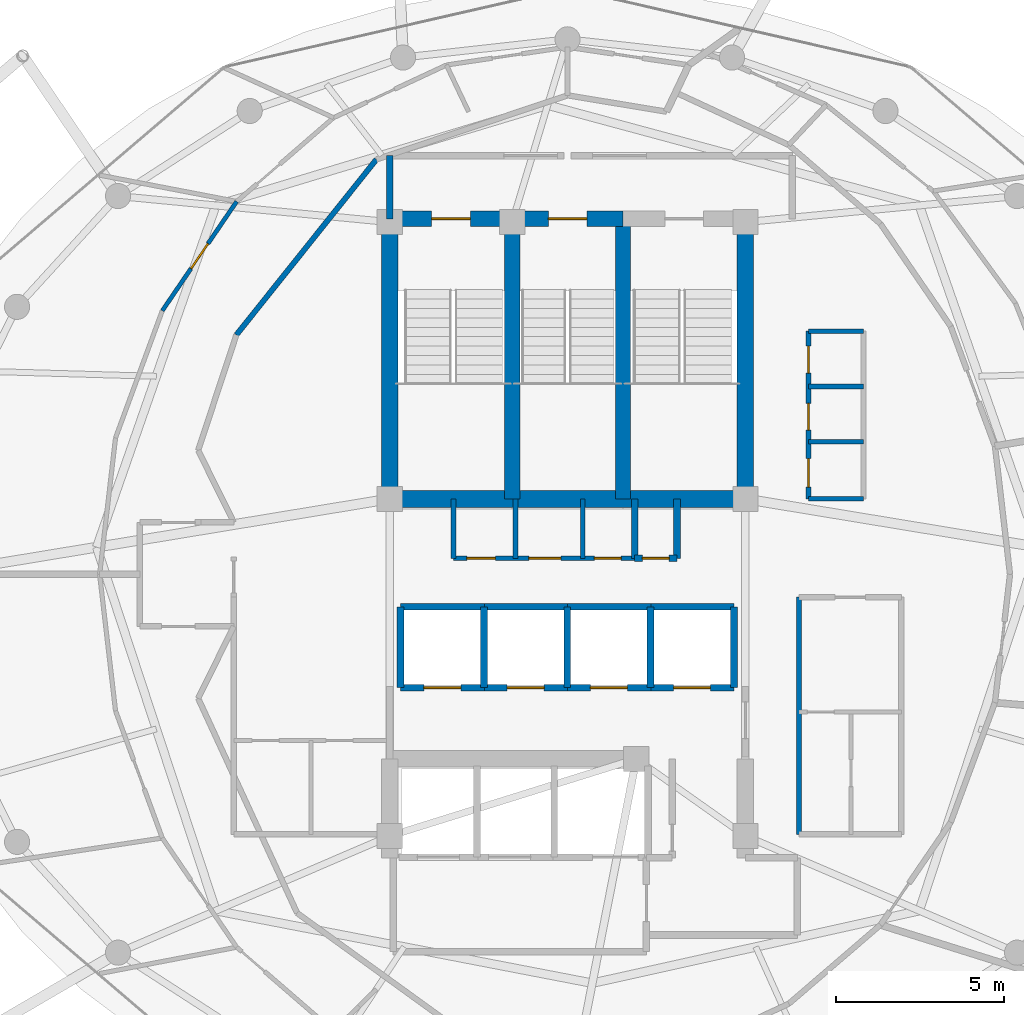
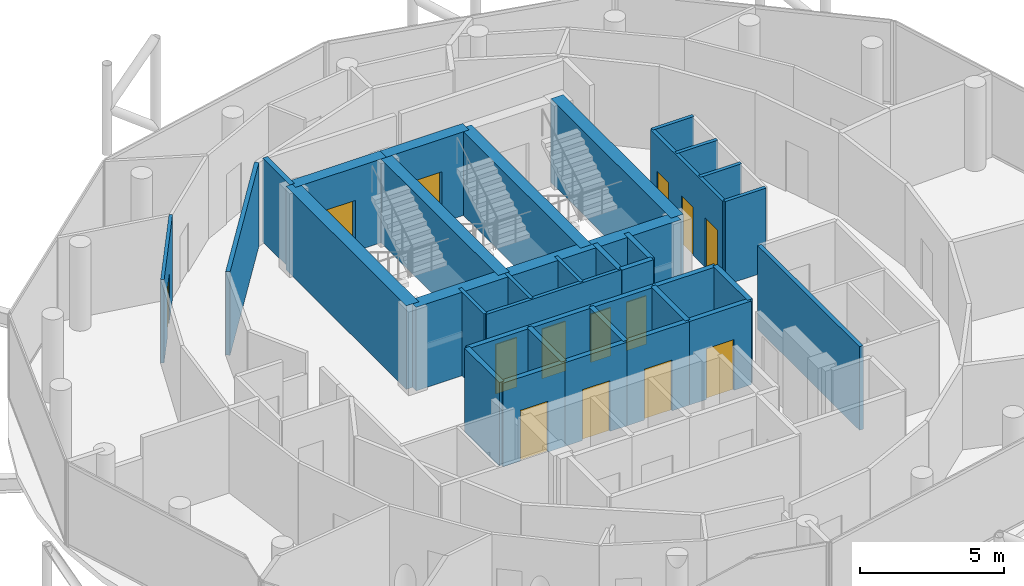
# One storey, part 21 of 24: 36 walls, 14 doors, 14 openings.
"""IFC4 building model written with IfcOpenShell, lengths in metres."""

import ifcopenshell
import ifcopenshell.guid

model = None  # the IFC model being written
_history = None  # IfcOwnerHistory: only IFC2X3 demands one
_inside = {}  # id of a spatial element -> (the spatial element, [elements in it])
_under = {}  # id of a project, library or spatial element -> (it, [spatial elements below it])
_declared = {}  # id of a project -> (the project, [libraries it declares])
_typed = {}  # id of a type object -> (the type object, [elements of that type])
_made_of = {}  # id of a material, layer set ... -> (it, [elements and type objects made of it])


def new_model(schema):
    """Start an empty IFC model of exactly this schema.

    Asked for "IFC4X3", IfcOpenShell would pick the latest addendum, in which some entities
    have other attributes; the version numbers below select the first issue.
    IFC2X3 requires an IfcOwnerHistory on every rooted entity: one is made here for all.
    """
    global model, _history
    if schema == "IFC4X3":
        model = ifcopenshell.file(schema_version=(4, 3, 0, 0))
    else:
        model = ifcopenshell.file(schema=schema)
    _inside.clear()
    _under.clear()
    _declared.clear()
    _typed.clear()
    _made_of.clear()
    _history = None
    if model.schema == "IFC2X3":
        org = make("IfcOrganization", Name="unknown")
        user = make(
            "IfcPersonAndOrganization",
            ThePerson=make("IfcPerson", FamilyName="unknown"),
            TheOrganization=org,
        )
        app = make(
            "IfcApplication",
            ApplicationDeveloper=org,
            Version="unknown",
            ApplicationFullName="unknown",
            ApplicationIdentifier="unknown",
        )
        _history = make(
            "IfcOwnerHistory",
            OwningUser=user,
            OwningApplication=app,
            ChangeAction="ADDED",
            CreationDate=0,
        )
    return model


def make(cls, **values):
    """One entity of the class cls with the attributes given. An attribute that is None is left unset."""
    return model.create_entity(
        cls, **{name: value for name, value in values.items() if value is not None}
    )


def rooted(cls, **values):
    """An entity with a GlobalId (a new one), such as an element, a storey or a relation."""
    return make(cls, GlobalId=ifcopenshell.guid.new(), OwnerHistory=_history, **values)


def si_unit(unit_type, name, prefix=None):
    """IfcSIUnit, for example si_unit("LENGTHUNIT", "METRE", prefix="MILLI")."""
    return make("IfcSIUnit", UnitType=unit_type, Prefix=prefix, Name=name)


def assignment(units):
    """IfcUnitAssignment: the units of a project."""
    return None if units is None else make("IfcUnitAssignment", Units=units)


def point(xyz):
    """IfcCartesianPoint."""
    return None if xyz is None else make("IfcCartesianPoint", Coordinates=xyz)


def direction(xyz):
    """IfcDirection."""
    return None if xyz is None else make("IfcDirection", DirectionRatios=xyz)


def frame(location, z_axis=None, x_axis=None):
    """IfcAxis2Placement3D, a coordinate frame: its origin and axes. An axis left out is left unset."""
    return make(
        "IfcAxis2Placement3D",
        Location=point(location),
        Axis=direction(z_axis),
        RefDirection=direction(x_axis),
    )


def frame_2d(location, x_axis=None):
    """IfcAxis2Placement2D, a coordinate frame in the plane: its origin and x axis."""
    return make(
        "IfcAxis2Placement2D", Location=point(location), RefDirection=direction(x_axis)
    )


def origin():
    """The frame at (0, 0, 0) with its axes left unset."""
    return frame((0.0, 0.0, 0.0))


def place(relative_to, where):
    """IfcLocalPlacement: puts the frame where relative to a parent placement (None: the world)."""
    return make(
        "IfcLocalPlacement", PlacementRelTo=relative_to, RelativePlacement=where
    )


def context(
    kind, dimensions, precision=None, world=None, true_north=None, identifier=None
):
    """IfcGeometricRepresentationContext, for example the 3D "Model" context."""
    return make(
        "IfcGeometricRepresentationContext",
        ContextIdentifier=identifier,
        ContextType=kind,
        CoordinateSpaceDimension=dimensions,
        Precision=precision,
        WorldCoordinateSystem=world,
        TrueNorth=true_north,
    )


def subcontext(parent, identifier, kind, view, scale=None):
    """IfcGeometricRepresentationSubContext, for example "Body" below "Model"."""
    return make(
        "IfcGeometricRepresentationSubContext",
        ContextIdentifier=identifier,
        ContextType=kind,
        ParentContext=parent,
        TargetScale=scale,
        TargetView=view,
    )


def project(units=None, contexts=None):
    """IfcProject with its units and contexts."""
    return rooted(
        "IfcProject",
        Name="project",
        RepresentationContexts=contexts,
        UnitsInContext=assignment(units),
    )


def spatial(cls, under=None, at=None, **own):
    """A site, building, storey or space (cls), placed at a placement, below another one or the project."""
    s = rooted(cls, ObjectPlacement=at, **own)
    if under is not None:
        _under.setdefault(under.id(), (under, []))[1].append(s)
    return s


def profile(cls, at=None, kind="AREA", **sizes):
    """A parametric profile (cls). Its sizes go by their IFC names, for example OverallWidth=200.0."""
    return make(cls, ProfileType=kind, Position=at, **sizes)


def rectangle(**sizes):
    """IfcRectangleProfileDef."""
    return profile("IfcRectangleProfileDef", **sizes)


def extrude(swept, where, along, depth):
    """IfcExtrudedAreaSolid: the profile swept, set in the frame where, extruded along a direction by depth."""
    return make(
        "IfcExtrudedAreaSolid",
        SweptArea=swept,
        Position=where,
        ExtrudedDirection=direction(along),
        Depth=depth,
    )


def shape(context_of_items, identifier, shape_type, items):
    """IfcShapeRepresentation: the items that make up one representation, for example the "Body"."""
    return make(
        "IfcShapeRepresentation",
        ContextOfItems=context_of_items,
        RepresentationIdentifier=identifier,
        RepresentationType=shape_type,
        Items=items,
    )


def material(Name=None, Category=None):
    """IfcMaterial."""
    return make("IfcMaterial", Name=Name, Category=Category)


def layer(
    of_material, thickness, ventilated=None, Name=None, Category=None, Priority=None
):
    """IfcMaterialLayer: one layer of a wall or slab, of a material (None: an air gap)."""
    return make(
        "IfcMaterialLayer",
        Material=of_material,
        LayerThickness=thickness,
        IsVentilated=ventilated,
        Name=Name,
        Category=Category,
        Priority=Priority,
    )


def layer_set(layers, Name=None):
    """IfcMaterialLayerSet."""
    return make("IfcMaterialLayerSet", MaterialLayers=layers, LayerSetName=Name)


def made_of(thing, what):
    """Note that an element or type object is made of a material, layer set ...; save() writes the relation."""
    if what is not None:
        _made_of.setdefault(what.id(), (what, []))[1].append(thing)
    return thing


def type_object(cls, material=None, **own):
    """A type object (cls), such as IfcWallType, which elements share."""
    return made_of(rooted(cls, **own), material)


def element(
    cls,
    number,
    at=None,
    inside=None,
    cuts=None,
    type_object=None,
    material=None,
    context=None,
    identifier="Body",
    shape_type=None,
    held_by="IfcProductDefinitionShape",
    body=None,
    shapes=None,
    **own,
):
    """One element of the class cls, such as IfcWall. Its Tag is "e" and its number.

    at: its placement. inside: the storey or other place that contains it. cuts: it is an
    opening in that element (IfcRelVoidsElement). A single representation is given by context,
    identifier, shape_type and body (its items); several are given by shapes. held_by: the class
    of the entity that holds the representations. save() writes the other relations.
    """
    e = rooted(cls, Tag="e%d" % number, ObjectPlacement=at, **own)
    if body is not None:
        shapes = [shape(context, identifier, shape_type, body)]
    if shapes is not None:
        e.Representation = make(held_by, Representations=shapes)
    if inside is not None:
        _inside.setdefault(inside.id(), (inside, []))[1].append(e)
    if cuts is not None:
        rooted(
            "IfcRelVoidsElement", RelatingBuildingElement=cuts, RelatedOpeningElement=e
        )
    if type_object is not None:
        _typed.setdefault(type_object.id(), (type_object, []))[1].append(e)
    return made_of(e, material)


def fill(opening, filler):
    """IfcRelFillsElement: the door or window that sits in an opening."""
    return rooted(
        "IfcRelFillsElement",
        RelatingOpeningElement=opening,
        RelatedBuildingElement=filler,
    )


def aggregate(whole, parts):
    """IfcRelAggregates: a whole, such as a stair, and the parts it consists of."""
    return rooted("IfcRelAggregates", RelatingObject=whole, RelatedObjects=parts)


def save(model, path):
    """Write the relations noted so far, then the file.

    IfcRelAggregates (storeys below a building ...), IfcRelContainedInSpatialStructure (elements
    in a storey), IfcRelDefinesByType, IfcRelAssociatesMaterial and IfcRelDeclares: one each for
    every whole, place, type object, material and project.
    """
    for whole, parts in _under.values():
        aggregate(whole, parts)
    for where, things in _inside.values():
        rooted(
            "IfcRelContainedInSpatialStructure",
            RelatedElements=things,
            RelatingStructure=where,
        )
    for kind, things in _typed.values():
        rooted("IfcRelDefinesByType", RelatedObjects=things, RelatingType=kind)
    for what, things in _made_of.values():
        rooted("IfcRelAssociatesMaterial", RelatedObjects=things, RelatingMaterial=what)
    for by, libraries in _declared.values():
        rooted("IfcRelDeclares", RelatingContext=by, RelatedDefinitions=libraries)
    model.write(path)


model = new_model("IFC4")

# Units and contexts
model_context = context("Model", 3, precision=1e-05, world=origin(), true_north=direction((0.0, 1.0)))
body_context = subcontext(model_context, "Body", "Model", "MODEL_VIEW")
ifc_project = project(units=[si_unit("LENGTHUNIT", "METRE"), si_unit("AREAUNIT", "SQUARE_METRE"), si_unit("VOLUMEUNIT", "CUBIC_METRE"), si_unit("PLANEANGLEUNIT", "RADIAN"), si_unit("MASSUNIT", "GRAM", prefix="KILO")], contexts=[model_context])

# Site, building, storey
site_placement = place(None, origin())
site = spatial("IfcSite", under=ifc_project, at=site_placement, CompositionType="ELEMENT")
building_placement = place(site_placement, origin())
building = spatial("IfcBuilding", under=site, at=building_placement, Name="Nuhasar Tower", CompositionType="ELEMENT")
storey_placement = place(building_placement, frame((0.0, 0.0, 293.60009765625)))
storey = spatial("IfcBuildingStorey", under=building, at=storey_placement, Name="L73", CompositionType="ELEMENT", Elevation=293.60009765625)

# Wall, opening, door
ifc_material_1 = material(Name="Concrete C50/60", Category="concrete")
ifc_layer_1 = layer(ifc_material_1, 0.449951171875)
ifc_layer_set_1 = layer_set([ifc_layer_1], Name="Concrete C50/60")
wall_type_1 = type_object("IfcWallType", Name="WL-CORE-450", PredefinedType="SHEAR", material=ifc_layer_set_1)
wall_1_placement = place(storey_placement, frame((37.35009765625, 37.39990234375, 0.0), z_axis=(0.0, 0.0, 1.0), x_axis=(-1.0, 0.0, 0.0)))
wall_1 = element("IfcWall", 1, at=wall_1_placement, inside=storey, type_object=wall_type_1, Name="L73 Stairwell Shear Wall ST01-N", PredefinedType="SHEAR", context=body_context, shape_type="SweptSolid", body=[
    extrude(rectangle(XDim=3.650146484375, YDim=0.449951171875, at=frame_2d((1.8251953125, 0.0))), origin(), (0.0, 0.0, 1.0), 3.539794921875),
])
opening_1_placement = place(wall_1_placement, frame((1.25, 0.0, 0.0)))
opening_1 = element("IfcOpeningElement", 2, at=opening_1_placement, cuts=wall_1, Name="Opening DS-01", PredefinedType="OPENING", context=body_context, shape_type="SweptSolid", body=[
    extrude(rectangle(XDim=1.14990234375, YDim=2.14990234375, at=frame_2d((0.574951171875, 1.074951171875))), frame((0.0, 0.23486328125, 0.0), z_axis=(0.0, -1.0, 0.0), x_axis=(1.0, 0.0, 0.0)), (0.0, 0.0, 1.0), 0.469970703125),
])
ifc_material_2 = material(Name="Steel S355", Category="steel")
door_type_1 = type_object("IfcDoorType", Name="DR-STAIR-FD120-1150", OperationType="NOTDEFINED", PredefinedType="DOOR", material=ifc_material_2)
door_1_placement = place(opening_1_placement, origin())
door_1 = element("IfcDoor", 3, at=door_1_placement, inside=storey, type_object=door_type_1, Name="L73 Exit Stair ST-01 Door", OperationType="SINGLE_SWING_RIGHT", OverallHeight=2.14990234375, OverallWidth=1.14990234375, PredefinedType="DOOR", context=body_context, shape_type="SweptSolid", body=[
    extrude(rectangle(XDim=1.14990234375, YDim=2.14990234375, at=frame_2d((0.574951171875, 1.074951171875))), frame((0.0, 0.02490234375, 0.0), z_axis=(0.0, -1.0, 0.0), x_axis=(1.0, 0.0, 0.0)), (0.0, 0.0, 1.0), 0.050048828125),
])
fill(opening_1, door_1)

# Wall
wall_2_placement = place(storey_placement, frame((37.35009765625, 29.050048828125, 0.0), z_axis=(0.0, 0.0, 1.0), x_axis=(0.0, 1.0, 0.0)))
element("IfcWall", 4, at=wall_2_placement, inside=storey, type_object=wall_type_1, Name="L73 Stairwell Shear Wall ST01-E", PredefinedType="SHEAR", context=body_context, shape_type="SweptSolid", body=[
    extrude(rectangle(XDim=8.349853515625, YDim=0.449951171875, at=frame_2d((4.1748046875, 0.0))), origin(), (0.0, 0.0, 1.0), 3.539794921875),
])

# Wall, opening, door
wall_3_placement = place(storey_placement, frame((40.64990234375, 37.39990234375, 0.0), z_axis=(0.0, 0.0, 1.0), x_axis=(-1.0, 0.0, 0.0)))
wall_3 = element("IfcWall", 5, at=wall_3_placement, inside=storey, type_object=wall_type_1, Name="L73 Stairwell Shear Wall ST03-N", PredefinedType="SHEAR", context=body_context, shape_type="SweptSolid", body=[
    extrude(rectangle(XDim=3.2998046875, YDim=0.449951171875, at=frame_2d((1.64990234375, 0.0))), origin(), (0.0, 0.0, 1.0), 3.539794921875),
])
opening_2_placement = place(wall_3_placement, frame((1.074951171875, 0.0, 0.0)))
opening_2 = element("IfcOpeningElement", 6, at=opening_2_placement, cuts=wall_3, Name="Opening DS-01", PredefinedType="OPENING", context=body_context, shape_type="SweptSolid", body=[
    extrude(rectangle(XDim=1.14990234375, YDim=2.14990234375, at=frame_2d((0.574951171875, 1.074951171875))), frame((0.0, 0.23486328125, 0.0), z_axis=(0.0, -1.0, 0.0), x_axis=(1.0, 0.0, 0.0)), (0.0, 0.0, 1.0), 0.469970703125),
])
door_2_placement = place(opening_2_placement, origin())
door_2 = element("IfcDoor", 7, at=door_2_placement, inside=storey, type_object=door_type_1, Name="L73 Exit Stair ST-03 Door", OperationType="SINGLE_SWING_RIGHT", OverallHeight=2.14990234375, OverallWidth=1.14990234375, PredefinedType="DOOR", context=body_context, shape_type="SweptSolid", body=[
    extrude(rectangle(XDim=1.14990234375, YDim=2.14990234375, at=frame_2d((0.574951171875, 1.074951171875))), frame((0.0, 0.02490234375, 0.0), z_axis=(0.0, -1.0, 0.0), x_axis=(1.0, 0.0, 0.0)), (0.0, 0.0, 1.0), 0.050048828125),
])
fill(opening_2, door_2)

# Walls
wall_4_placement = place(storey_placement, frame((40.64990234375, 29.050048828125, 0.0), z_axis=(0.0, 0.0, 1.0), x_axis=(0.0, 1.0, 0.0)))
element("IfcWall", 8, at=wall_4_placement, inside=storey, type_object=wall_type_1, Name="L73 Stairwell Shear Wall ST03-E", PredefinedType="SHEAR", context=body_context, shape_type="SweptSolid", body=[
    extrude(rectangle(XDim=8.349853515625, YDim=0.449951171875, at=frame_2d((4.1748046875, 0.0))), origin(), (0.0, 0.0, 1.0), 3.539794921875),
])
ifc_layer_2 = layer(ifc_material_1, 0.5)
ifc_layer_set_2 = layer_set([ifc_layer_2], Name="Concrete C50/60")
wall_type_2 = type_object("IfcWallType", Name="WL-CORE-500", PredefinedType="SHEAR", material=ifc_layer_set_2)
for number, where, z_axis, x_axis, name in (
    (9, (33.699951171875, 29.050048828125, 0.0), (0.0, 0.0, 1.0), (0.0, 1.0, 0.0), "L73 Core Shear Wall CW-NW CW-500"),
    (10, (44.300048828125, 29.050048828125, 0.0), (0.0, 0.0, 1.0), (0.0, 1.0, 0.0), "L73 Core Shear Wall CW-NE CW-500"),
):
    element("IfcWall", number, at=place(storey_placement, frame(where, z_axis=z_axis, x_axis=x_axis)), inside=storey, type_object=wall_type_2, Name=name, PredefinedType="SHEAR", context=body_context, shape_type="SweptSolid", body=[
        extrude(rectangle(XDim=8.349853515625, YDim=0.5, at=frame_2d((4.1748046875, 0.0))), origin(), (0.0, 0.0, 1.0), 3.539794921875),
    ])
wall_5_placement = place(storey_placement, frame((33.699951171875, 29.050048828125, 0.0), z_axis=(0.0, 0.0, 1.0), x_axis=(1.0, 0.0, 0.0)))
element("IfcWall", 11, at=wall_5_placement, inside=storey, type_object=wall_type_2, Name="L73 Core Shear Wall CW-N1 CW-500", PredefinedType="SHEAR", context=body_context, shape_type="SweptSolid", body=[
    extrude(rectangle(XDim=10.60009765625, YDim=0.5, at=frame_2d((5.300048828125, 0.0))), origin(), (0.0, 0.0, 1.0), 3.539794921875),
])
ifc_material_3 = material(Name="Gypsum Board", Category="gypsum")
ifc_layer_3 = layer(ifc_material_3, 0.159912109375)
ifc_layer_set_3 = layer_set([ifc_layer_3], Name="Gypsum Board")
wall_type_3 = type_object("IfcWallType", Name="WL-CORR-160", PredefinedType="PARTITIONING", material=ifc_layer_set_3)
wall_6_placement = place(storey_placement, frame((45.89990234375, 19.050048828125, 0.0), z_axis=(0.0, 0.0, 1.0), x_axis=(0.0, 1.0, 0.0)))
element("IfcWall", 12, at=wall_6_placement, inside=storey, type_object=wall_type_3, Name="L73 Interior Partition RECL-B2-W", PredefinedType="PARTITIONING", context=body_context, shape_type="SweptSolid", body=[
    extrude(rectangle(XDim=7.070068359375, YDim=0.159912109375, at=frame_2d((3.53515625, 0.0))), origin(), (0.0, 0.0, 1.0), 3.539794921875),
])
wall_7_placement = place(storey_placement, frame((33.300048828125, 39.1669921875, 0.0), z_axis=(0.0, 0.0, 1.0), x_axis=(-0.623915746766, -0.781491612839, 0.0)))
element("IfcWall", 13, at=wall_7_placement, inside=storey, type_object=wall_type_3, Name="L73 Interior Partition UWEST-CORE-N2-16", PredefinedType="PARTITIONING", context=body_context, shape_type="SweptSolid", body=[
    extrude(rectangle(XDim=6.6884765625, YDim=0.159912109375, at=frame_2d((3.34423828125, 0.0))), origin(), (0.0, 0.0, 1.0), 3.539794921875),
])
ifc_material_4 = material(Name="Concrete C45/55", Category="concrete")
ifc_layer_4 = layer(ifc_material_4, 0.199951171875)
ifc_layer_set_4 = layer_set([ifc_layer_4], Name="Concrete C45/55")
wall_type_4 = type_object("IfcWallType", Name="WL-LOBBY-200", PredefinedType="SOLIDWALL", material=ifc_layer_set_4)
wall_8_placement = place(storey_placement, frame((33.699951171875, 37.39990234375, 0.0), z_axis=(0.0, 0.0, 1.0), x_axis=(0.0, 1.0, 0.0)))
element("IfcWall", 14, at=wall_8_placement, inside=storey, type_object=wall_type_4, Name="L73 Interior Partition NSL-W", PredefinedType="SOLIDWALL", context=body_context, shape_type="SweptSolid", body=[
    extrude(rectangle(XDim=1.880126953125, YDim=0.199951171875, at=frame_2d((0.93994140625, 0.0))), origin(), (0.0, 0.0, 1.0), 3.539794921875),
])

# Wall, opening, door
ifc_layer_5 = layer(ifc_material_3, 0.125)
ifc_layer_set_5 = layer_set([ifc_layer_5], Name="Gypsum Board")
wall_type_5 = type_object("IfcWallType", Name="WL-PART-125", PredefinedType="PARTITIONING", material=ifc_layer_set_5)
wall_9_placement = place(storey_placement, frame((26.9189453125, 34.659912109375, 0.0), z_axis=(0.0, 0.0, 1.0), x_axis=(0.562811699753, 0.826585138157, 0.0)))
wall_9 = element("IfcWall", 15, at=wall_9_placement, inside=storey, type_object=wall_type_5, Name="L73 Interior Partition USM-1-D-18", PredefinedType="PARTITIONING", context=body_context, shape_type="SweptSolid", body=[
    extrude(rectangle(XDim=3.939208984375, YDim=0.125, at=frame_2d((1.9697265625, 0.0))), origin(), (0.0, 0.0, 1.0), 3.539794921875),
])
opening_3_placement = place(wall_9_placement, frame((1.52001953125, 0.0, 0.0)))
opening_3 = element("IfcOpeningElement", 16, at=opening_3_placement, cuts=wall_9, Name="Opening DR-01", PredefinedType="OPENING", context=body_context, shape_type="SweptSolid", body=[
    extrude(rectangle(XDim=0.89990234375, YDim=2.10009765625, at=frame_2d((0.449951171875, 1.050048828125))), frame((0.0, 0.072509765625, 0.0), z_axis=(0.0, -1.0, 0.0), x_axis=(1.0, 0.0, 0.0)), (0.0, 0.0, 1.0), 0.14501953125),
])
ifc_material_5 = material(Name="Timber Oak", Category="wood")
door_type_2 = type_object("IfcDoorType", Name="DR-ROOM-900", OperationType="NOTDEFINED", PredefinedType="DOOR", material=ifc_material_5)
door_3_placement = place(opening_3_placement, origin())
door_3 = element("IfcDoor", 17, at=door_3_placement, inside=storey, type_object=door_type_2, Name="L73 North-West Sky Home Living Door", OperationType="SINGLE_SWING_RIGHT", OverallHeight=2.10009765625, OverallWidth=0.89990234375, PredefinedType="DOOR", context=body_context, shape_type="SweptSolid", body=[
    extrude(rectangle(XDim=0.89990234375, YDim=2.10009765625, at=frame_2d((0.449951171875, 1.050048828125))), frame((0.0, 0.02490234375, 0.0), z_axis=(0.0, -1.0, 0.0), x_axis=(1.0, 0.0, 0.0)), (0.0, 0.0, 1.0), 0.050048828125),
])
fill(opening_3, door_3)

# Walls
ifc_layer_6 = layer(ifc_material_4, 0.199951171875)
ifc_layer_set_6 = layer_set([ifc_layer_6], Name="Concrete C45/55")
wall_type_6 = type_object("IfcWallType", Name="WL-SHAFT-200", PredefinedType="SOLIDWALL", material=ifc_layer_set_6)
for number, where, z_axis, x_axis, name in (
    (18, (41.0, 27.280029296875, 0.0), (0.0, 0.0, 1.0), (0.0, 1.0, 0.0), "L73 Interior Partition RSRN-W"),
    (19, (42.260009765625, 27.280029296875, 0.0), (0.0, 0.0, 1.0), (0.0, 1.0, 0.0), "L73 Interior Partition RSRN-E"),
):
    element("IfcWall", number, at=place(storey_placement, frame(where, z_axis=z_axis, x_axis=x_axis)), inside=storey, type_object=wall_type_6, Name=name, PredefinedType="SOLIDWALL", context=body_context, shape_type="SweptSolid", body=[
        extrude(rectangle(XDim=1.77001953125, YDim=0.199951171875, at=frame_2d((0.885009765625, 0.0))), origin(), (0.0, 0.0, 1.0), 3.539794921875),
    ])

# Wall, opening, door
wall_10_placement = place(storey_placement, frame((41.0, 27.280029296875, 0.0), z_axis=(0.0, 0.0, 1.0), x_axis=(1.0, 0.0, 0.0)))
wall_10 = element("IfcWall", 20, at=wall_10_placement, inside=storey, type_object=wall_type_6, Name="L73 Interior Partition RSRN-S", PredefinedType="SOLIDWALL", context=body_context, shape_type="SweptSolid", body=[
    extrude(rectangle(XDim=1.260009765625, YDim=0.199951171875, at=frame_2d((0.6298828125, 0.0))), origin(), (0.0, 0.0, 1.0), 3.539794921875),
])
opening_4_placement = place(wall_10_placement, frame((0.22998046875, 0.0, 0.0)))
opening_4 = element("IfcOpeningElement", 21, at=opening_4_placement, cuts=wall_10, Name="Opening DM-01", PredefinedType="OPENING", context=body_context, shape_type="SweptSolid", body=[
    extrude(rectangle(XDim=0.800048828125, YDim=2.050048828125, at=frame_2d((0.39990234375, 1.02490234375))), frame((0.0, 0.10986328125, 0.0), z_axis=(0.0, -1.0, 0.0), x_axis=(1.0, 0.0, 0.0)), (0.0, 0.0, 1.0), 0.219970703125),
])
door_type_3 = type_object("IfcDoorType", Name="DR-RISER-FD60-800", OperationType="NOTDEFINED", PredefinedType="DOOR", material=ifc_material_2)
door_4_placement = place(opening_4_placement, origin())
door_4 = element("IfcDoor", 22, at=door_4_placement, inside=storey, type_object=door_type_3, Name="L73 North Smoke Riser Door", OperationType="SINGLE_SWING_RIGHT", OverallHeight=2.050048828125, OverallWidth=0.800048828125, PredefinedType="DOOR", context=body_context, shape_type="SweptSolid", body=[
    extrude(rectangle(XDim=0.800048828125, YDim=2.050048828125, at=frame_2d((0.39990234375, 1.02490234375))), frame((0.0, 0.02490234375, 0.0), z_axis=(0.0, -1.0, 0.0), x_axis=(1.0, 0.0, 0.0)), (0.0, 0.0, 1.0), 0.050048828125),
])
fill(opening_4, door_4)

wall_11_placement = place(storey_placement, frame((34.02001953125, 23.419921875, 0.0), z_axis=(0.0, 0.0, 1.0), x_axis=(1.0, 0.0, 0.0)))
wall_11 = element("IfcWall", 23, at=wall_11_placement, inside=storey, type_object=wall_type_6, Name="L73 Interior Partition SHF-PL-H01-S", PredefinedType="SOLIDWALL", context=body_context, shape_type="SweptSolid", body=[
    extrude(rectangle(XDim=2.5, YDim=0.199951171875, at=frame_2d((1.25, 0.0))), origin(), (0.0, 0.0, 1.0), 3.539794921875),
])
opening_5_placement = place(wall_11_placement, frame((0.699951171875, 0.0, 0.0)))
opening_5 = element("IfcOpeningElement", 24, at=opening_5_placement, cuts=wall_11, Name="Opening LD-H01", PredefinedType="OPENING", context=body_context, shape_type="SweptSolid", body=[
    extrude(rectangle(XDim=1.10009765625, YDim=2.14990234375, at=frame_2d((0.550048828125, 1.074951171875))), frame((0.0, 0.10986328125, 0.0), z_axis=(0.0, -1.0, 0.0), x_axis=(1.0, 0.0, 0.0)), (0.0, 0.0, 1.0), 0.219970703125),
])
ifc_material_6 = material(Name="Stainless Steel 316L", Category="steel")
door_type_4 = type_object("IfcDoorType", Name="LD-PAX-1100", OperationType="DOUBLE_DOOR_SLIDING", PredefinedType="DOOR", material=ifc_material_6)
door_5_placement = place(opening_5_placement, origin())
door_5 = element("IfcDoor", 25, at=door_5_placement, inside=storey, type_object=door_type_4, Name="L73 Lift Landing Door PL-H01", OperationType="DOUBLE_DOOR_SLIDING", OverallHeight=2.14990234375, OverallWidth=1.10009765625, PredefinedType="DOOR", context=body_context, shape_type="SweptSolid", body=[
    extrude(rectangle(XDim=1.10009765625, YDim=2.14990234375, at=frame_2d((0.550048828125, 1.074951171875))), frame((0.0, 0.02490234375, 0.0), z_axis=(0.0, -1.0, 0.0), x_axis=(1.0, 0.0, 0.0)), (0.0, 0.0, 1.0), 0.050048828125),
])
fill(opening_5, door_5)

# Walls
wall_12_placement = place(storey_placement, frame((34.02001953125, 25.830078125, 0.0), z_axis=(0.0, 0.0, 1.0), x_axis=(1.0, 0.0, 0.0)))
element("IfcWall", 26, at=wall_12_placement, inside=storey, type_object=wall_type_6, Name="L73 Interior Partition SHF-PL-H01-N", PredefinedType="SOLIDWALL", context=body_context, shape_type="SweptSolid", body=[
    extrude(rectangle(XDim=2.5, YDim=0.199951171875, at=frame_2d((1.25, 0.0))), origin(), (0.0, 0.0, 1.0), 3.539794921875),
])
for number, where, z_axis, x_axis, name in (
    (27, (34.02001953125, 23.419921875, 0.0), (0.0, 0.0, 1.0), (0.0, 1.0, 0.0), "L73 Interior Partition SHF-PL-H01-W"),
    (28, (36.510009765625, 23.419921875, 0.0), (0.0, 0.0, 1.0), (0.0, 1.0, 0.0), "L73 Interior Partition SHF-PL-H01-E"),
):
    element("IfcWall", number, at=place(storey_placement, frame(where, z_axis=z_axis, x_axis=x_axis)), inside=storey, type_object=wall_type_6, Name=name, PredefinedType="SOLIDWALL", context=body_context, shape_type="SweptSolid", body=[
        extrude(rectangle(XDim=2.41015625, YDim=0.199951171875, at=frame_2d((1.205078125, 0.0))), origin(), (0.0, 0.0, 1.0), 3.539794921875),
    ])

# Wall, opening, door
wall_13_placement = place(storey_placement, frame((36.5, 23.419921875, 0.0), z_axis=(0.0, 0.0, 1.0), x_axis=(1.0, 0.0, 0.0)))
wall_13 = element("IfcWall", 29, at=wall_13_placement, inside=storey, type_object=wall_type_6, Name="L73 Interior Partition SHF-PL-H02-S", PredefinedType="SOLIDWALL", context=body_context, shape_type="SweptSolid", body=[
    extrude(rectangle(XDim=2.5, YDim=0.199951171875, at=frame_2d((1.25, 0.0))), origin(), (0.0, 0.0, 1.0), 3.539794921875),
])
opening_6_placement = place(wall_13_placement, frame((0.699951171875, 0.0, 0.0)))
opening_6 = element("IfcOpeningElement", 30, at=opening_6_placement, cuts=wall_13, Name="Opening LD-H02", PredefinedType="OPENING", context=body_context, shape_type="SweptSolid", body=[
    extrude(rectangle(XDim=1.10009765625, YDim=2.14990234375, at=frame_2d((0.550048828125, 1.074951171875))), frame((0.0, 0.10986328125, 0.0), z_axis=(0.0, -1.0, 0.0), x_axis=(1.0, 0.0, 0.0)), (0.0, 0.0, 1.0), 0.219970703125),
])
door_6_placement = place(opening_6_placement, origin())
door_6 = element("IfcDoor", 31, at=door_6_placement, inside=storey, type_object=door_type_4, Name="L73 Lift Landing Door PL-H02", OperationType="DOUBLE_DOOR_SLIDING", OverallHeight=2.14990234375, OverallWidth=1.10009765625, PredefinedType="DOOR", context=body_context, shape_type="SweptSolid", body=[
    extrude(rectangle(XDim=1.10009765625, YDim=2.14990234375, at=frame_2d((0.550048828125, 1.074951171875))), frame((0.0, 0.02490234375, 0.0), z_axis=(0.0, -1.0, 0.0), x_axis=(1.0, 0.0, 0.0)), (0.0, 0.0, 1.0), 0.050048828125),
])
fill(opening_6, door_6)

# Walls
wall_14_placement = place(storey_placement, frame((36.5, 25.830078125, 0.0), z_axis=(0.0, 0.0, 1.0), x_axis=(1.0, 0.0, 0.0)))
element("IfcWall", 32, at=wall_14_placement, inside=storey, type_object=wall_type_6, Name="L73 Interior Partition SHF-PL-H02-N", PredefinedType="SOLIDWALL", context=body_context, shape_type="SweptSolid", body=[
    extrude(rectangle(XDim=2.5, YDim=0.199951171875, at=frame_2d((1.25, 0.0))), origin(), (0.0, 0.0, 1.0), 3.539794921875),
])
wall_15_placement = place(storey_placement, frame((38.989990234375, 23.419921875, 0.0), z_axis=(0.0, 0.0, 1.0), x_axis=(0.0, 1.0, 0.0)))
element("IfcWall", 33, at=wall_15_placement, inside=storey, type_object=wall_type_6, Name="L73 Interior Partition SHF-PL-H02-E", PredefinedType="SOLIDWALL", context=body_context, shape_type="SweptSolid", body=[
    extrude(rectangle(XDim=2.41015625, YDim=0.199951171875, at=frame_2d((1.205078125, 0.0))), origin(), (0.0, 0.0, 1.0), 3.539794921875),
])

# Wall, opening, door
wall_16_placement = place(storey_placement, frame((38.97998046875, 23.419921875, 0.0), z_axis=(0.0, 0.0, 1.0), x_axis=(1.0, 0.0, 0.0)))
wall_16 = element("IfcWall", 34, at=wall_16_placement, inside=storey, type_object=wall_type_6, Name="L73 Interior Partition SHF-PL-H03-S", PredefinedType="SOLIDWALL", context=body_context, shape_type="SweptSolid", body=[
    extrude(rectangle(XDim=2.5, YDim=0.199951171875, at=frame_2d((1.25, 0.0))), origin(), (0.0, 0.0, 1.0), 3.539794921875),
])
opening_7_placement = place(wall_16_placement, frame((0.699951171875, 0.0, 0.0)))
opening_7 = element("IfcOpeningElement", 35, at=opening_7_placement, cuts=wall_16, Name="Opening LD-H03", PredefinedType="OPENING", context=body_context, shape_type="SweptSolid", body=[
    extrude(rectangle(XDim=1.10009765625, YDim=2.14990234375, at=frame_2d((0.550048828125, 1.074951171875))), frame((0.0, 0.10986328125, 0.0), z_axis=(0.0, -1.0, 0.0), x_axis=(1.0, 0.0, 0.0)), (0.0, 0.0, 1.0), 0.219970703125),
])
door_7_placement = place(opening_7_placement, origin())
door_7 = element("IfcDoor", 36, at=door_7_placement, inside=storey, type_object=door_type_4, Name="L73 Lift Landing Door PL-H03", OperationType="DOUBLE_DOOR_SLIDING", OverallHeight=2.14990234375, OverallWidth=1.10009765625, PredefinedType="DOOR", context=body_context, shape_type="SweptSolid", body=[
    extrude(rectangle(XDim=1.10009765625, YDim=2.14990234375, at=frame_2d((0.550048828125, 1.074951171875))), frame((0.0, 0.02490234375, 0.0), z_axis=(0.0, -1.0, 0.0), x_axis=(1.0, 0.0, 0.0)), (0.0, 0.0, 1.0), 0.050048828125),
])
fill(opening_7, door_7)

# Walls
wall_17_placement = place(storey_placement, frame((38.97998046875, 25.830078125, 0.0), z_axis=(0.0, 0.0, 1.0), x_axis=(1.0, 0.0, 0.0)))
element("IfcWall", 37, at=wall_17_placement, inside=storey, type_object=wall_type_6, Name="L73 Interior Partition SHF-PL-H03-N", PredefinedType="SOLIDWALL", context=body_context, shape_type="SweptSolid", body=[
    extrude(rectangle(XDim=2.5, YDim=0.199951171875, at=frame_2d((1.25, 0.0))), origin(), (0.0, 0.0, 1.0), 3.539794921875),
])
wall_18_placement = place(storey_placement, frame((41.469970703125, 23.419921875, 0.0), z_axis=(0.0, 0.0, 1.0), x_axis=(0.0, 1.0, 0.0)))
element("IfcWall", 38, at=wall_18_placement, inside=storey, type_object=wall_type_6, Name="L73 Interior Partition SHF-PL-H03-E", PredefinedType="SOLIDWALL", context=body_context, shape_type="SweptSolid", body=[
    extrude(rectangle(XDim=2.41015625, YDim=0.199951171875, at=frame_2d((1.205078125, 0.0))), origin(), (0.0, 0.0, 1.0), 3.539794921875),
])

# Wall, opening, door
wall_19_placement = place(storey_placement, frame((41.4599609375, 23.419921875, 0.0), z_axis=(0.0, 0.0, 1.0), x_axis=(1.0, 0.0, 0.0)))
wall_19 = element("IfcWall", 39, at=wall_19_placement, inside=storey, type_object=wall_type_6, Name="L73 Interior Partition SHF-PL-H04-S", PredefinedType="SOLIDWALL", context=body_context, shape_type="SweptSolid", body=[
    extrude(rectangle(XDim=2.5, YDim=0.199951171875, at=frame_2d((1.25, 0.0))), origin(), (0.0, 0.0, 1.0), 3.539794921875),
])
opening_8_placement = place(wall_19_placement, frame((0.699951171875, 0.0, 0.0)))
opening_8 = element("IfcOpeningElement", 40, at=opening_8_placement, cuts=wall_19, Name="Opening LD-H04", PredefinedType="OPENING", context=body_context, shape_type="SweptSolid", body=[
    extrude(rectangle(XDim=1.10009765625, YDim=2.14990234375, at=frame_2d((0.550048828125, 1.074951171875))), frame((0.0, 0.10986328125, 0.0), z_axis=(0.0, -1.0, 0.0), x_axis=(1.0, 0.0, 0.0)), (0.0, 0.0, 1.0), 0.219970703125),
])
door_8_placement = place(opening_8_placement, origin())
door_8 = element("IfcDoor", 41, at=door_8_placement, inside=storey, type_object=door_type_4, Name="L73 Lift Landing Door PL-H04", OperationType="DOUBLE_DOOR_SLIDING", OverallHeight=2.14990234375, OverallWidth=1.10009765625, PredefinedType="DOOR", context=body_context, shape_type="SweptSolid", body=[
    extrude(rectangle(XDim=1.10009765625, YDim=2.14990234375, at=frame_2d((0.550048828125, 1.074951171875))), frame((0.0, 0.02490234375, 0.0), z_axis=(0.0, -1.0, 0.0), x_axis=(1.0, 0.0, 0.0)), (0.0, 0.0, 1.0), 0.050048828125),
])
fill(opening_8, door_8)

# Walls
wall_20_placement = place(storey_placement, frame((41.4599609375, 25.830078125, 0.0), z_axis=(0.0, 0.0, 1.0), x_axis=(1.0, 0.0, 0.0)))
element("IfcWall", 42, at=wall_20_placement, inside=storey, type_object=wall_type_6, Name="L73 Interior Partition SHF-PL-H04-N", PredefinedType="SOLIDWALL", context=body_context, shape_type="SweptSolid", body=[
    extrude(rectangle(XDim=2.5, YDim=0.199951171875, at=frame_2d((1.25, 0.0))), origin(), (0.0, 0.0, 1.0), 3.539794921875),
])
wall_21_placement = place(storey_placement, frame((43.9599609375, 23.419921875, 0.0), z_axis=(0.0, 0.0, 1.0), x_axis=(0.0, 1.0, 0.0)))
element("IfcWall", 43, at=wall_21_placement, inside=storey, type_object=wall_type_6, Name="L73 Interior Partition SHF-PL-H04-E", PredefinedType="SOLIDWALL", context=body_context, shape_type="SweptSolid", body=[
    extrude(rectangle(XDim=2.41015625, YDim=0.199951171875, at=frame_2d((1.205078125, 0.0))), origin(), (0.0, 0.0, 1.0), 3.539794921875),
])
ifc_material_7 = material(Name="Concrete C40/50 precast", Category="concrete")
ifc_layer_7 = layer(ifc_material_7, 0.139892578125)
ifc_layer_set_7 = layer_set([ifc_layer_7], Name="Concrete C40/50 precast")
wall_type_7 = type_object("IfcWallType", Name="WL-WET-140", PredefinedType="PARTITIONING", material=ifc_layer_set_7)
wall_22_placement = place(storey_placement, frame((35.60009765625, 27.280029296875, 0.0), z_axis=(0.0, 0.0, 1.0), x_axis=(0.0, 1.0, 0.0)))
element("IfcWall", 44, at=wall_22_placement, inside=storey, type_object=wall_type_7, Name="L73 Interior Partition CSVC-W", PredefinedType="PARTITIONING", context=body_context, shape_type="SweptSolid", body=[
    extrude(rectangle(XDim=1.77001953125, YDim=0.139892578125, at=frame_2d((0.885009765625, 0.0))), origin(), (0.0, 0.0, 1.0), 3.539794921875),
])

# Wall, openings, doors
wall_23_placement = place(storey_placement, frame((35.60009765625, 27.280029296875, 0.0), z_axis=(0.0, 0.0, 1.0), x_axis=(1.0, 0.0, 0.0)))
wall_23 = element("IfcWall", 45, at=wall_23_placement, inside=storey, type_object=wall_type_7, Name="L73 Interior Partition CSVC-S", PredefinedType="PARTITIONING", context=body_context, shape_type="SweptSolid", body=[
    extrude(rectangle(XDim=5.39990234375, YDim=0.139892578125, at=frame_2d((2.699951171875, 0.0))), origin(), (0.0, 0.0, 1.0), 3.539794921875),
])
opening_9_placement = place(wall_23_placement, frame((0.39990234375, 0.0, 0.0)))
opening_9 = element("IfcOpeningElement", 46, at=opening_9_placement, cuts=wall_23, Name="Opening DB-01", PredefinedType="OPENING", context=body_context, shape_type="SweptSolid", body=[
    extrude(rectangle(XDim=0.85009765625, YDim=2.10009765625, at=frame_2d((0.425048828125, 1.050048828125))), frame((0.0, 0.080078125, 0.0), z_axis=(0.0, -1.0, 0.0), x_axis=(1.0, 0.0, 0.0)), (0.0, 0.0, 1.0), 0.159912109375),
])
opening_10_placement = place(wall_23_placement, frame((2.25, 0.0, 0.0)))
opening_10 = element("IfcOpeningElement", 47, at=opening_10_placement, cuts=wall_23, Name="Opening DA-01", PredefinedType="OPENING", context=body_context, shape_type="SweptSolid", body=[
    extrude(rectangle(XDim=0.949951171875, YDim=2.10009765625, at=frame_2d((0.47509765625, 1.050048828125))), frame((0.0, 0.080078125, 0.0), z_axis=(0.0, -1.0, 0.0), x_axis=(1.0, 0.0, 0.0)), (0.0, 0.0, 1.0), 0.159912109375),
])
opening_11_placement = place(wall_23_placement, frame((4.199951171875, 0.0, 0.0)))
opening_11 = element("IfcOpeningElement", 48, at=opening_11_placement, cuts=wall_23, Name="Opening DM-01", PredefinedType="OPENING", context=body_context, shape_type="SweptSolid", body=[
    extrude(rectangle(XDim=0.800048828125, YDim=2.050048828125, at=frame_2d((0.39990234375, 1.02490234375))), frame((0.0, 0.080078125, 0.0), z_axis=(0.0, -1.0, 0.0), x_axis=(1.0, 0.0, 0.0)), (0.0, 0.0, 1.0), 0.159912109375),
])
door_type_5 = type_object("IfcDoorType", Name="DR-ACCWC-950", OperationType="NOTDEFINED", PredefinedType="DOOR", material=ifc_material_5)
door_9_placement = place(opening_10_placement, origin())
door_9 = element("IfcDoor", 49, at=door_9_placement, inside=storey, type_object=door_type_5, Name="L73 Core Accessible WC Door", OperationType="SINGLE_SWING_RIGHT", OverallHeight=2.10009765625, OverallWidth=0.949951171875, PredefinedType="DOOR", context=body_context, shape_type="SweptSolid", body=[
    extrude(rectangle(XDim=0.949951171875, YDim=2.10009765625, at=frame_2d((0.47509765625, 1.050048828125))), frame((0.0, 0.02490234375, 0.0), z_axis=(0.0, -1.0, 0.0), x_axis=(1.0, 0.0, 0.0)), (0.0, 0.0, 1.0), 0.050048828125),
])
fill(opening_10, door_9)
door_type_6 = type_object("IfcDoorType", Name="DR-BATH-850", OperationType="NOTDEFINED", PredefinedType="DOOR", material=ifc_material_5)
door_10_placement = place(opening_9_placement, origin())
door_10 = element("IfcDoor", 50, at=door_10_placement, inside=storey, type_object=door_type_6, Name="L73 Core Male WC Door", OperationType="SINGLE_SWING_LEFT", OverallHeight=2.10009765625, OverallWidth=0.85009765625, PredefinedType="DOOR", context=body_context, shape_type="SweptSolid", body=[
    extrude(rectangle(XDim=0.85009765625, YDim=2.10009765625, at=frame_2d((0.425048828125, 1.050048828125))), frame((0.0, 0.02490234375, 0.0), z_axis=(0.0, -1.0, 0.0), x_axis=(1.0, 0.0, 0.0)), (0.0, 0.0, 1.0), 0.050048828125),
])
fill(opening_9, door_10)
door_11_placement = place(opening_11_placement, origin())
door_11 = element("IfcDoor", 51, at=door_11_placement, inside=storey, type_object=door_type_3, Name="L73 Core Janitor Door", OperationType="SINGLE_SWING_RIGHT", OverallHeight=2.050048828125, OverallWidth=0.800048828125, PredefinedType="DOOR", context=body_context, shape_type="SweptSolid", body=[
    extrude(rectangle(XDim=0.800048828125, YDim=2.050048828125, at=frame_2d((0.39990234375, 1.02490234375))), frame((0.0, 0.02490234375, 0.0), z_axis=(0.0, -1.0, 0.0), x_axis=(1.0, 0.0, 0.0)), (0.0, 0.0, 1.0), 0.050048828125),
])
fill(opening_11, door_11)

# Walls
for number, where, z_axis, x_axis, name in (
    (52, (37.449951171875, 27.280029296875, 0.0), (0.0, 0.0, 1.0), (0.0, 1.0, 0.0), "L73 Interior Partition K1-P1"),
    (53, (39.449951171875, 27.280029296875, 0.0), (0.0, 0.0, 1.0), (0.0, 1.0, 0.0), "L73 Interior Partition K1-P2"),
):
    element("IfcWall", number, at=place(storey_placement, frame(where, z_axis=z_axis, x_axis=x_axis)), inside=storey, type_object=wall_type_7, Name=name, PredefinedType="PARTITIONING", context=body_context, shape_type="SweptSolid", body=[
        extrude(rectangle(XDim=1.77001953125, YDim=0.139892578125, at=frame_2d((0.885009765625, 0.0))), origin(), (0.0, 0.0, 1.0), 3.539794921875),
    ])

# Wall, openings, doors
wall_24_placement = place(storey_placement, frame((46.179931640625, 34.050048828125, 0.0), z_axis=(0.0, 0.0, 1.0), x_axis=(0.0, -1.0, 0.0)))
wall_24 = element("IfcWall", 54, at=wall_24_placement, inside=storey, type_object=wall_type_7, Name="L73 Interior Partition K1-NE-W", PredefinedType="PARTITIONING", context=body_context, shape_type="SweptSolid", body=[
    extrude(rectangle(XDim=5.0, YDim=0.139892578125, at=frame_2d((2.5, 0.0))), origin(), (0.0, 0.0, 1.0), 3.539794921875),
])
opening_12_placement = place(wall_24_placement, frame((3.800048828125, 0.0, 0.0)))
opening_12 = element("IfcOpeningElement", 55, at=opening_12_placement, cuts=wall_24, Name="Opening DB-01", PredefinedType="OPENING", context=body_context, shape_type="SweptSolid", body=[
    extrude(rectangle(XDim=0.85009765625, YDim=2.10009765625, at=frame_2d((0.425048828125, 1.050048828125))), frame((0.0, 0.080078125, 0.0), z_axis=(0.0, -1.0, 0.0), x_axis=(1.0, 0.0, 0.0)), (0.0, 0.0, 1.0), 0.159912109375),
])
opening_13_placement = place(wall_24_placement, frame((2.14990234375, 0.0, 0.0)))
opening_13 = element("IfcOpeningElement", 56, at=opening_13_placement, cuts=wall_24, Name="Opening DM-01", PredefinedType="OPENING", context=body_context, shape_type="SweptSolid", body=[
    extrude(rectangle(XDim=0.800048828125, YDim=2.050048828125, at=frame_2d((0.39990234375, 1.02490234375))), frame((0.0, 0.080078125, 0.0), z_axis=(0.0, -1.0, 0.0), x_axis=(1.0, 0.0, 0.0)), (0.0, 0.0, 1.0), 0.159912109375),
])
opening_14_placement = place(wall_24_placement, frame((0.449951171875, 0.0, 0.0)))
opening_14 = element("IfcOpeningElement", 57, at=opening_14_placement, cuts=wall_24, Name="Opening DM-01", PredefinedType="OPENING", context=body_context, shape_type="SweptSolid", body=[
    extrude(rectangle(XDim=0.800048828125, YDim=2.050048828125, at=frame_2d((0.39990234375, 1.02490234375))), frame((0.0, 0.080078125, 0.0), z_axis=(0.0, -1.0, 0.0), x_axis=(1.0, 0.0, 0.0)), (0.0, 0.0, 1.0), 0.159912109375),
])
door_12_placement = place(opening_12_placement, origin())
door_12 = element("IfcDoor", 58, at=door_12_placement, inside=storey, type_object=door_type_6, Name="L73 NE Female WC Door", OperationType="SINGLE_SWING_RIGHT", OverallHeight=2.10009765625, OverallWidth=0.85009765625, PredefinedType="DOOR", context=body_context, shape_type="SweptSolid", body=[
    extrude(rectangle(XDim=0.85009765625, YDim=2.10009765625, at=frame_2d((0.425048828125, 1.050048828125))), frame((0.0, 0.02490234375, 0.0), z_axis=(0.0, -1.0, 0.0), x_axis=(1.0, 0.0, 0.0)), (0.0, 0.0, 1.0), 0.050048828125),
])
fill(opening_12, door_12)
door_13_placement = place(opening_13_placement, origin())
door_13 = element("IfcDoor", 59, at=door_13_placement, inside=storey, type_object=door_type_3, Name="L73 NE Meter Door", OperationType="SINGLE_SWING_RIGHT", OverallHeight=2.050048828125, OverallWidth=0.800048828125, PredefinedType="DOOR", context=body_context, shape_type="SweptSolid", body=[
    extrude(rectangle(XDim=0.800048828125, YDim=2.050048828125, at=frame_2d((0.39990234375, 1.02490234375))), frame((0.0, 0.02490234375, 0.0), z_axis=(0.0, -1.0, 0.0), x_axis=(1.0, 0.0, 0.0)), (0.0, 0.0, 1.0), 0.050048828125),
])
fill(opening_13, door_13)
door_14_placement = place(opening_14_placement, origin())
door_14 = element("IfcDoor", 60, at=door_14_placement, inside=storey, type_object=door_type_3, Name="L73 NE Telecom Door", OperationType="SINGLE_SWING_LEFT", OverallHeight=2.050048828125, OverallWidth=0.800048828125, PredefinedType="DOOR", context=body_context, shape_type="SweptSolid", body=[
    extrude(rectangle(XDim=0.800048828125, YDim=2.050048828125, at=frame_2d((0.39990234375, 1.02490234375))), frame((0.0, 0.02490234375, 0.0), z_axis=(0.0, -1.0, 0.0), x_axis=(1.0, 0.0, 0.0)), (0.0, 0.0, 1.0), 0.050048828125),
])
fill(opening_14, door_14)

# Walls
for number, where, z_axis, x_axis, name in (
    (61, (46.179931640625, 29.050048828125, 0.0), (0.0, 0.0, 1.0), (1.0, 0.0, 0.0), "L73 Interior Partition K1-NE-S"),
    (62, (46.179931640625, 30.75, 0.0), (0.0, 0.0, 1.0), (1.0, 0.0, 0.0), "L73 Interior Partition K1-NE-M1"),
    (63, (46.179931640625, 32.39990234375, 0.0), (0.0, 0.0, 1.0), (1.0, 0.0, 0.0), "L73 Interior Partition K1-NE-M2"),
    (64, (46.179931640625, 34.050048828125, 0.0), (0.0, 0.0, 1.0), (1.0, 0.0, 0.0), "L73 Interior Partition K1-NE-N"),
):
    element("IfcWall", number, at=place(storey_placement, frame(where, z_axis=z_axis, x_axis=x_axis)), inside=storey, type_object=wall_type_7, Name=name, PredefinedType="PARTITIONING", context=body_context, shape_type="SweptSolid", body=[
        extrude(rectangle(XDim=1.64013671875, YDim=0.139892578125, at=frame_2d((0.820068359375, 0.0))), origin(), (0.0, 0.0, 1.0), 3.539794921875),
    ])

save(model, "model.ifc")
